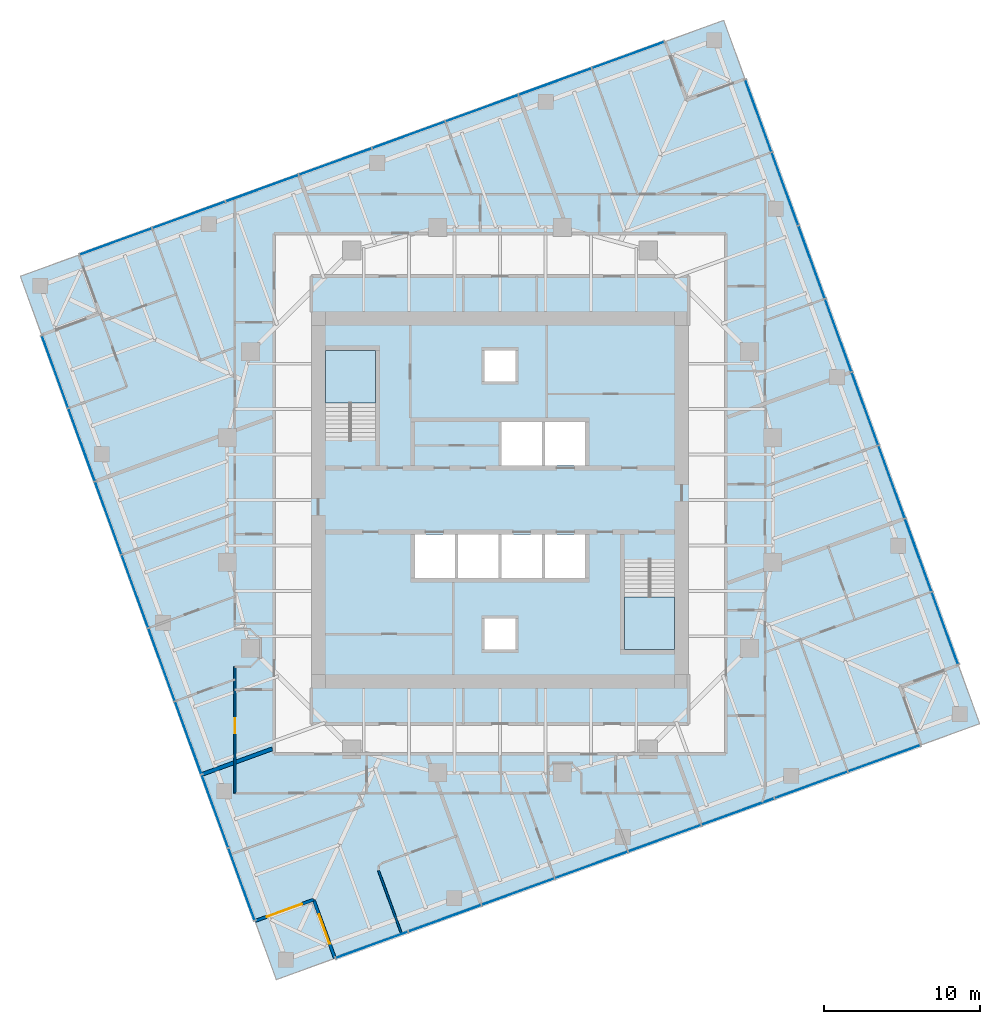
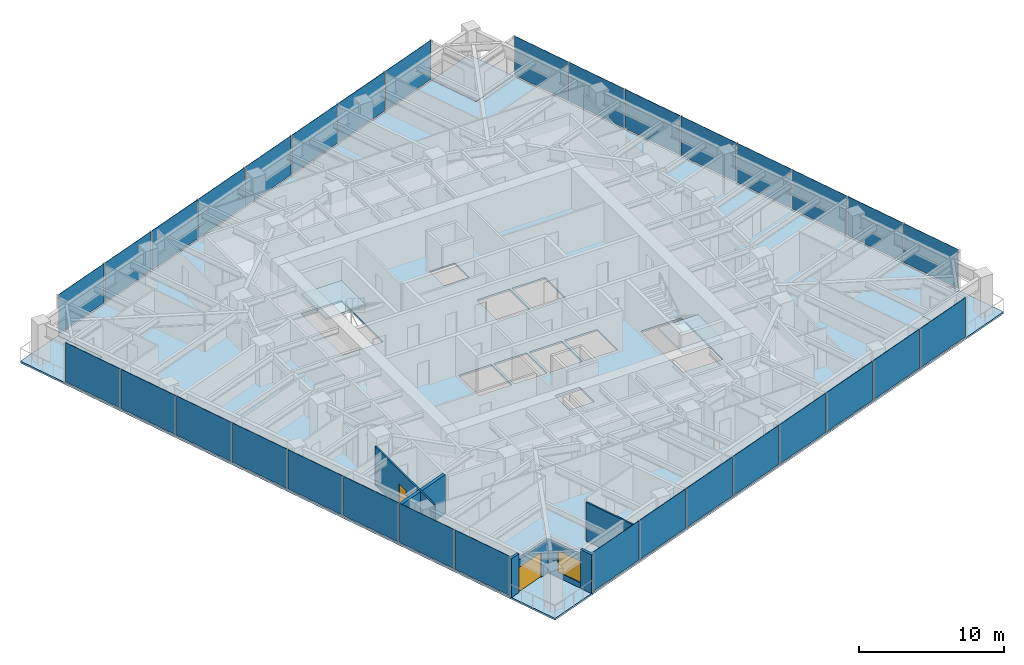
# One storey, part 6 of 13: 32 plates, 7 slabs, 7 walls, 2 doors, 1 window, 3 openings, 6 elements without a shape of their own.
"""IFC4 building model written with IfcOpenShell, lengths in metres."""

from ifc_helpers import new_model, si_unit, direction, frame, frame_2d, origin, origin_2d, place, context, subcontext, project, spatial, polyline, rectangle, outline, extrude, material, layer, layer_set, type_object, element, fill, aggregate, save


model = new_model("IFC4")

# Units and contexts
model_context = context("Model", 3, precision=1e-05, world=origin(), true_north=direction((0.0, 1.0)))
body_context = subcontext(model_context, "Body", "Model", "MODEL_VIEW")
ifc_project = project(units=[si_unit("LENGTHUNIT", "METRE"), si_unit("AREAUNIT", "SQUARE_METRE"), si_unit("VOLUMEUNIT", "CUBIC_METRE"), si_unit("PLANEANGLEUNIT", "RADIAN"), si_unit("MASSUNIT", "GRAM", prefix="KILO")], contexts=[model_context])

# Site, building, storey
site_placement = place(None, origin())
site = spatial("IfcSite", under=ifc_project, at=site_placement, CompositionType="ELEMENT")
building_placement = place(site_placement, origin())
building = spatial("IfcBuilding", under=site, at=building_placement, Name="Torsade Residences", CompositionType="ELEMENT")
storey_placement = place(building_placement, frame((0.0, 0.0, 160.800048828125)))
storey = spatial("IfcBuildingStorey", under=building, at=storey_placement, Name="L44", CompositionType="ELEMENT", Elevation=160.800048828125)

# Slab
ifc_material_1 = material(Name="Concrete 40 MPa", Category="concrete")
ifc_layer_1 = layer(ifc_material_1, 0.14990234375)
ifc_layer_set_1 = layer_set([ifc_layer_1], Name="Concrete 40 MPa")
slab_type_1 = type_object("IfcSlabType", Name="COMPOSITE FLOOR SLAB 150", PredefinedType="FLOOR", material=ifc_layer_set_1)
slab_1_placement = place(storey_placement, frame((0.0, 0.0, -0.150146484375)))
element("IfcSlab", 1, at=slab_1_placement, inside=storey, type_object=slab_type_1, Name="Floor slab L44", PredefinedType="FLOOR", context=body_context, shape_type="SweptSolid", body=[
    extrude(outline(polyline([(29.41455078125, 0.60693359375), (67.00244140625, 14.287841796875), (65.63427734375, 18.046630859375), (69.39306640625, 19.41455078125), (55.712158203125, 57.00244140625), (51.953369140625, 55.63427734375), (50.58544921875, 59.39306640625), (12.99755859375, 45.712158203125), (14.36572265625, 41.953369140625), (10.60693359375, 40.58544921875), (24.287841796875, 2.99755859375), (28.046630859375, 4.36572265625), (29.41455078125, 0.60693359375)]), holes=[polyline([(51.199951171875, 26.1201171875), (48.0, 26.1201171875), (48.0, 20.39990234375), (51.199951171875, 20.39990234375), (51.199951171875, 26.1201171875)]), polyline([(45.5, 27.800048828125), (42.89990234375, 27.800048828125), (42.89990234375, 25.0), (45.5, 25.0), (45.5, 27.800048828125)]), polyline([(45.5, 35.0), (42.89990234375, 35.0), (42.89990234375, 32.199951171875), (45.5, 32.199951171875), (45.5, 35.0)]), polyline([(42.699951171875, 25.0), (42.699951171875, 27.800048828125), (40.10009765625, 27.800048828125), (40.10009765625, 25.0), (42.699951171875, 25.0)]), polyline([(42.699951171875, 35.0), (40.10009765625, 35.0), (40.10009765625, 32.199951171875), (42.699951171875, 32.199951171875), (42.699951171875, 35.0)]), polyline([(41.0, 22.39990234375), (39.0, 22.39990234375), (39.0, 20.39990234375), (41.0, 20.39990234375), (41.0, 22.39990234375)]), polyline([(41.0, 37.60009765625), (41.0, 39.60009765625), (39.0, 39.60009765625), (39.0, 37.60009765625), (41.0, 37.60009765625)]), polyline([(39.89990234375, 25.0), (39.89990234375, 27.800048828125), (37.300048828125, 27.800048828125), (37.300048828125, 25.0), (39.89990234375, 25.0)]), polyline([(37.10009765625, 27.800048828125), (34.5, 27.800048828125), (34.5, 25.0), (37.10009765625, 25.0), (37.10009765625, 27.800048828125)]), polyline([(32.0, 33.8798828125), (32.0, 39.60009765625), (28.800048828125, 39.60009765625), (28.800048828125, 33.8798828125), (32.0, 33.8798828125)])]), origin(), (0.0, 0.0, 1.0), 0.150146484375),
])

# Curtain wall, plates
ifc_material_2 = material(Name="Aluminium and glass", Category="aluminium")
curtain_wall_type = type_object("IfcCurtainWallType", Name="FRITTED GLASS CURTAIN WALL MID ZONE", PredefinedType="NOTDEFINED", material=ifc_material_2)
curtain_wall_1_placement = place(storey_placement, origin())
curtain_wall_1 = element("IfcCurtainWall", 2, at=curtain_wall_1_placement, inside=storey, type_object=curtain_wall_type, Name="Curtain wall L44 face 1", PredefinedType="NOTDEFINED")
ifc_material_3 = material(Name="Laminated glass", Category="glass")
ifc_layer_2 = layer(ifc_material_3, 0.031982421875)
ifc_layer_set_2 = layer_set([ifc_layer_2], Name="Laminated glass")
plate_type_1 = type_object("IfcPlateType", Name="FRITTED GLASS PANEL", PredefinedType="CURTAIN_PANEL", material=ifc_layer_set_2)
plate_1_placement = place(storey_placement, frame((31.78271484375, 1.46875, 0.10986328125), z_axis=(0.0, 0.0, 1.0), x_axis=(0.939692619132, 0.342020147869, 0.0)))
plate_1 = element("IfcPlate", 3, at=plate_1_placement, type_object=plate_type_1, Name="Panel 1", PredefinedType="CURTAIN_PANEL", context=body_context, shape_type="SweptSolid", body=[
    extrude(rectangle(XDim=4.8798828125, YDim=0.031982421875, at=origin_2d()), origin(), (0.0, 0.0, 1.0), 3.2900390625),
])
plate_2_placement = place(storey_placement, frame((41.160888671875, 4.88232421875, 0.10986328125), z_axis=(0.0, 0.0, 1.0), x_axis=(0.939692619132, 0.342020147869, 0.0)))
plate_2 = element("IfcPlate", 4, at=plate_2_placement, type_object=plate_type_1, Name="Panel 3", PredefinedType="CURTAIN_PANEL", context=body_context, shape_type="SweptSolid", body=[
    extrude(rectangle(XDim=4.919921875, YDim=0.031982421875, at=origin_2d()), origin(), (0.0, 0.0, 1.0), 3.2900390625),
])
plate_3_placement = place(storey_placement, frame((45.859130859375, 6.59228515625, 0.10986328125), z_axis=(0.0, 0.0, 1.0), x_axis=(0.939692619132, 0.342020147869, 0.0)))
plate_3 = element("IfcPlate", 5, at=plate_3_placement, type_object=plate_type_1, Name="Panel 4", PredefinedType="CURTAIN_PANEL", context=body_context, shape_type="SweptSolid", body=[
    extrude(rectangle(XDim=4.919921875, YDim=0.031982421875, at=origin_2d()), origin(), (0.0, 0.0, 1.0), 3.2900390625),
])
plate_4_placement = place(storey_placement, frame((50.5576171875, 8.302490234375, 0.10986328125), z_axis=(0.0, 0.0, 1.0), x_axis=(0.939692619132, 0.342020147869, 0.0)))
plate_4 = element("IfcPlate", 6, at=plate_4_placement, type_object=plate_type_1, Name="Panel 5", PredefinedType="CURTAIN_PANEL", context=body_context, shape_type="SweptSolid", body=[
    extrude(rectangle(XDim=4.919921875, YDim=0.031982421875, at=origin_2d()), origin(), (0.0, 0.0, 1.0), 3.2900390625),
])
plate_5_placement = place(storey_placement, frame((59.95458984375, 11.72265625, 0.10986328125), z_axis=(0.0, 0.0, 1.0), x_axis=(0.939692619132, 0.342020147869, 0.0)))
plate_5 = element("IfcPlate", 7, at=plate_5_placement, type_object=plate_type_1, Name="Panel 7", PredefinedType="CURTAIN_PANEL", context=body_context, shape_type="SweptSolid", body=[
    extrude(rectangle(XDim=4.919921875, YDim=0.031982421875, at=origin_2d()), origin(), (0.0, 0.0, 1.0), 3.2900390625),
])
plate_6_placement = place(storey_placement, frame((64.63427734375, 13.42578125, 0.10986328125), z_axis=(0.0, 0.0, 1.0), x_axis=(0.939692619132, 0.342020147869, 0.0)))
plate_6 = element("IfcPlate", 8, at=plate_6_placement, type_object=plate_type_1, Name="Panel 8", PredefinedType="CURTAIN_PANEL", context=body_context, shape_type="SweptSolid", body=[
    extrude(rectangle(XDim=4.8798828125, YDim=0.031982421875, at=origin_2d()), origin(), (0.0, 0.0, 1.0), 3.2900390625),
])

curtain_wall_2_placement = place(storey_placement, origin())
curtain_wall_2 = element("IfcCurtainWall", 9, at=curtain_wall_2_placement, inside=storey, type_object=curtain_wall_type, Name="Curtain wall L44 face 4", PredefinedType="NOTDEFINED")
plate_7_placement = place(storey_placement, frame((68.53125, 21.78271484375, 0.10986328125), z_axis=(0.0, 0.0, 1.0), x_axis=(-0.342020147869, 0.939692619132, 0.0)))
plate_7 = element("IfcPlate", 10, at=plate_7_placement, type_object=plate_type_1, Name="Panel 1", PredefinedType="CURTAIN_PANEL", context=body_context, shape_type="SweptSolid", body=[
    extrude(rectangle(XDim=4.8798828125, YDim=0.031982421875, at=origin_2d()), origin(), (0.0, 0.0, 1.0), 3.2900390625),
])
plate_8_placement = place(storey_placement, frame((65.11767578125, 31.160888671875, 0.10986328125), z_axis=(0.0, 0.0, 1.0), x_axis=(-0.342020147869, 0.939692619132, 0.0)))
plate_8 = element("IfcPlate", 11, at=plate_8_placement, type_object=plate_type_1, Name="Panel 3", PredefinedType="CURTAIN_PANEL", context=body_context, shape_type="SweptSolid", body=[
    extrude(rectangle(XDim=4.919921875, YDim=0.031982421875, at=origin_2d()), origin(), (0.0, 0.0, 1.0), 3.2900390625),
])
plate_9_placement = place(storey_placement, frame((63.40771484375, 35.859130859375, 0.10986328125), z_axis=(0.0, 0.0, 1.0), x_axis=(-0.342020147869, 0.939692619132, 0.0)))
plate_9 = element("IfcPlate", 12, at=plate_9_placement, type_object=plate_type_1, Name="Panel 4", PredefinedType="CURTAIN_PANEL", context=body_context, shape_type="SweptSolid", body=[
    extrude(rectangle(XDim=4.919921875, YDim=0.031982421875, at=origin_2d()), origin(), (0.0, 0.0, 1.0), 3.2900390625),
])
plate_10_placement = place(storey_placement, frame((61.697509765625, 40.5576171875, 0.10986328125), z_axis=(0.0, 0.0, 1.0), x_axis=(-0.342020147869, 0.939692619132, 0.0)))
plate_10 = element("IfcPlate", 13, at=plate_10_placement, type_object=plate_type_1, Name="Panel 5", PredefinedType="CURTAIN_PANEL", context=body_context, shape_type="SweptSolid", body=[
    extrude(rectangle(XDim=4.919921875, YDim=0.031982421875, at=origin_2d()), origin(), (0.0, 0.0, 1.0), 3.2900390625),
])
plate_11_placement = place(storey_placement, frame((58.27734375, 49.95458984375, 0.10986328125), z_axis=(0.0, 0.0, 1.0), x_axis=(-0.342020147869, 0.939692619132, 0.0)))
plate_11 = element("IfcPlate", 14, at=plate_11_placement, type_object=plate_type_1, Name="Panel 7", PredefinedType="CURTAIN_PANEL", context=body_context, shape_type="SweptSolid", body=[
    extrude(rectangle(XDim=4.919921875, YDim=0.031982421875, at=origin_2d()), origin(), (0.0, 0.0, 1.0), 3.2900390625),
])
plate_12_placement = place(storey_placement, frame((56.57421875, 54.63427734375, 0.10986328125), z_axis=(0.0, 0.0, 1.0), x_axis=(-0.342020147869, 0.939692619132, 0.0)))
plate_12 = element("IfcPlate", 15, at=plate_12_placement, type_object=plate_type_1, Name="Panel 8", PredefinedType="CURTAIN_PANEL", context=body_context, shape_type="SweptSolid", body=[
    extrude(rectangle(XDim=4.8798828125, YDim=0.031982421875, at=origin_2d()), origin(), (0.0, 0.0, 1.0), 3.2900390625),
])

curtain_wall_3_placement = place(storey_placement, origin())
curtain_wall_3 = element("IfcCurtainWall", 16, at=curtain_wall_3_placement, inside=storey, type_object=curtain_wall_type, Name="Curtain wall L44 face 7", PredefinedType="NOTDEFINED")
plate_13_placement = place(storey_placement, frame((48.21728515625, 58.53125, 0.10986328125), z_axis=(0.0, 0.0, 1.0), x_axis=(-0.939692619132, -0.342020147869, 0.0)))
plate_13 = element("IfcPlate", 17, at=plate_13_placement, type_object=plate_type_1, Name="Panel 1", PredefinedType="CURTAIN_PANEL", context=body_context, shape_type="SweptSolid", body=[
    extrude(rectangle(XDim=4.8798828125, YDim=0.031982421875, at=origin_2d()), origin(), (0.0, 0.0, 1.0), 3.2900390625),
])
plate_14_placement = place(storey_placement, frame((38.839111328125, 55.11767578125, 0.10986328125), z_axis=(0.0, 0.0, 1.0), x_axis=(-0.939692619132, -0.342020147869, 0.0)))
plate_14 = element("IfcPlate", 18, at=plate_14_placement, type_object=plate_type_1, Name="Panel 3", PredefinedType="CURTAIN_PANEL", context=body_context, shape_type="SweptSolid", body=[
    extrude(rectangle(XDim=4.919921875, YDim=0.031982421875, at=origin_2d()), origin(), (0.0, 0.0, 1.0), 3.2900390625),
])
plate_15_placement = place(storey_placement, frame((34.140869140625, 53.40771484375, 0.10986328125), z_axis=(0.0, 0.0, 1.0), x_axis=(-0.939692619132, -0.342020147869, 0.0)))
plate_15 = element("IfcPlate", 19, at=plate_15_placement, type_object=plate_type_1, Name="Panel 4", PredefinedType="CURTAIN_PANEL", context=body_context, shape_type="SweptSolid", body=[
    extrude(rectangle(XDim=4.919921875, YDim=0.031982421875, at=origin_2d()), origin(), (0.0, 0.0, 1.0), 3.2900390625),
])
plate_16_placement = place(storey_placement, frame((29.4423828125, 51.697509765625, 0.10986328125), z_axis=(0.0, 0.0, 1.0), x_axis=(-0.939692619132, -0.342020147869, 0.0)))
plate_16 = element("IfcPlate", 20, at=plate_16_placement, type_object=plate_type_1, Name="Panel 5", PredefinedType="CURTAIN_PANEL", context=body_context, shape_type="SweptSolid", body=[
    extrude(rectangle(XDim=4.919921875, YDim=0.031982421875, at=origin_2d()), origin(), (0.0, 0.0, 1.0), 3.2900390625),
])
plate_17_placement = place(storey_placement, frame((20.04541015625, 48.27734375, 0.10986328125), z_axis=(0.0, 0.0, 1.0), x_axis=(-0.939692619132, -0.342020147869, 0.0)))
plate_17 = element("IfcPlate", 21, at=plate_17_placement, type_object=plate_type_1, Name="Panel 7", PredefinedType="CURTAIN_PANEL", context=body_context, shape_type="SweptSolid", body=[
    extrude(rectangle(XDim=4.919921875, YDim=0.031982421875, at=origin_2d()), origin(), (0.0, 0.0, 1.0), 3.2900390625),
])
plate_18_placement = place(storey_placement, frame((15.36572265625, 46.57421875, 0.10986328125), z_axis=(0.0, 0.0, 1.0), x_axis=(-0.939692619132, -0.342020147869, 0.0)))
plate_18 = element("IfcPlate", 22, at=plate_18_placement, type_object=plate_type_1, Name="Panel 8", PredefinedType="CURTAIN_PANEL", context=body_context, shape_type="SweptSolid", body=[
    extrude(rectangle(XDim=4.8798828125, YDim=0.031982421875, at=origin_2d()), origin(), (0.0, 0.0, 1.0), 3.2900390625),
])

curtain_wall_4_placement = place(storey_placement, origin())
curtain_wall_4 = element("IfcCurtainWall", 23, at=curtain_wall_4_placement, inside=storey, type_object=curtain_wall_type, Name="Curtain wall L44 face 10", PredefinedType="NOTDEFINED")
plate_19_placement = place(storey_placement, frame((11.46875, 38.21728515625, 0.10986328125), z_axis=(0.0, 0.0, 1.0), x_axis=(0.342020147869, -0.939692619132, 0.0)))
plate_19 = element("IfcPlate", 24, at=plate_19_placement, type_object=plate_type_1, Name="Panel 1", PredefinedType="CURTAIN_PANEL", context=body_context, shape_type="SweptSolid", body=[
    extrude(rectangle(XDim=4.8798828125, YDim=0.031982421875, at=origin_2d()), origin(), (0.0, 0.0, 1.0), 3.2900390625),
])
plate_20_placement = place(storey_placement, frame((14.88232421875, 28.839111328125, 0.10986328125), z_axis=(0.0, 0.0, 1.0), x_axis=(0.342020147869, -0.939692619132, 0.0)))
plate_20 = element("IfcPlate", 25, at=plate_20_placement, type_object=plate_type_1, Name="Panel 3", PredefinedType="CURTAIN_PANEL", context=body_context, shape_type="SweptSolid", body=[
    extrude(rectangle(XDim=4.919921875, YDim=0.031982421875, at=origin_2d()), origin(), (0.0, 0.0, 1.0), 3.2900390625),
])
plate_21_placement = place(storey_placement, frame((16.59228515625, 24.140869140625, 0.10986328125), z_axis=(0.0, 0.0, 1.0), x_axis=(0.342020147869, -0.939692619132, 0.0)))
plate_21 = element("IfcPlate", 26, at=plate_21_placement, type_object=plate_type_1, Name="Panel 4", PredefinedType="CURTAIN_PANEL", context=body_context, shape_type="SweptSolid", body=[
    extrude(rectangle(XDim=4.919921875, YDim=0.031982421875, at=origin_2d()), origin(), (0.0, 0.0, 1.0), 3.2900390625),
])
plate_22_placement = place(storey_placement, frame((18.302490234375, 19.4423828125, 0.10986328125), z_axis=(0.0, 0.0, 1.0), x_axis=(0.342020147869, -0.939692619132, 0.0)))
plate_22 = element("IfcPlate", 27, at=plate_22_placement, type_object=plate_type_1, Name="Panel 5", PredefinedType="CURTAIN_PANEL", context=body_context, shape_type="SweptSolid", body=[
    extrude(rectangle(XDim=4.919921875, YDim=0.031982421875, at=origin_2d()), origin(), (0.0, 0.0, 1.0), 3.2900390625),
])
plate_23_placement = place(storey_placement, frame((21.72265625, 10.04541015625, 0.10986328125), z_axis=(0.0, 0.0, 1.0), x_axis=(0.342020147869, -0.939692619132, 0.0)))
plate_23 = element("IfcPlate", 28, at=plate_23_placement, type_object=plate_type_1, Name="Panel 7", PredefinedType="CURTAIN_PANEL", context=body_context, shape_type="SweptSolid", body=[
    extrude(rectangle(XDim=4.919921875, YDim=0.031982421875, at=origin_2d()), origin(), (0.0, 0.0, 1.0), 3.2900390625),
])
plate_24_placement = place(storey_placement, frame((23.42578125, 5.36572265625, 0.10986328125), z_axis=(0.0, 0.0, 1.0), x_axis=(0.342020147869, -0.939692619132, 0.0)))
plate_24 = element("IfcPlate", 29, at=plate_24_placement, type_object=plate_type_1, Name="Panel 8", PredefinedType="CURTAIN_PANEL", context=body_context, shape_type="SweptSolid", body=[
    extrude(rectangle(XDim=4.8798828125, YDim=0.031982421875, at=origin_2d()), origin(), (0.0, 0.0, 1.0), 3.2900390625),
])

# Plate
ifc_material_4 = material(Name="Laminated glass", Category="glass")
ifc_layer_3 = layer(ifc_material_4, 0.0400390625)
ifc_layer_set_3 = layer_set([ifc_layer_3], Name="Laminated glass")
plate_type_2 = type_object("IfcPlateType", Name="OPERABLE VENT PANEL", PredefinedType="CURTAIN_PANEL", material=ifc_layer_set_3)
plate_25_placement = place(storey_placement, frame((36.46240234375, 3.172119140625, 0.10986328125), z_axis=(0.0, 0.0, 1.0), x_axis=(0.939692619132, 0.342020147869, 0.0)))
plate_25 = element("IfcPlate", 30, at=plate_25_placement, type_object=plate_type_2, Name="Panel 2", PredefinedType="CURTAIN_PANEL", context=body_context, shape_type="SweptSolid", body=[
    extrude(rectangle(XDim=4.919921875, YDim=0.0400390625, at=origin_2d()), origin(), (0.0, 0.0, 1.0), 3.2900390625),
])

plate_26_placement = place(storey_placement, frame((55.256103515625, 10.012451171875, 0.10986328125), z_axis=(0.0, 0.0, 1.0), x_axis=(0.939692619132, 0.342020147869, 0.0)))
plate_26 = element("IfcPlate", 31, at=plate_26_placement, type_object=plate_type_2, Name="Panel 6", PredefinedType="CURTAIN_PANEL", context=body_context, shape_type="SweptSolid", body=[
    extrude(rectangle(XDim=4.919921875, YDim=0.0400390625, at=origin_2d()), origin(), (0.0, 0.0, 1.0), 3.2900390625),
])

aggregate(curtain_wall_1, [plate_1, plate_25, plate_2, plate_3, plate_4, plate_26, plate_5, plate_6])

plate_27_placement = place(storey_placement, frame((66.827880859375, 26.46240234375, 0.10986328125), z_axis=(0.0, 0.0, 1.0), x_axis=(-0.342020147869, 0.939692619132, 0.0)))
plate_27 = element("IfcPlate", 32, at=plate_27_placement, type_object=plate_type_2, Name="Panel 2", PredefinedType="CURTAIN_PANEL", context=body_context, shape_type="SweptSolid", body=[
    extrude(rectangle(XDim=4.919921875, YDim=0.0400390625, at=origin_2d()), origin(), (0.0, 0.0, 1.0), 3.2900390625),
])

plate_28_placement = place(storey_placement, frame((59.987548828125, 45.256103515625, 0.10986328125), z_axis=(0.0, 0.0, 1.0), x_axis=(-0.342020147869, 0.939692619132, 0.0)))
plate_28 = element("IfcPlate", 33, at=plate_28_placement, type_object=plate_type_2, Name="Panel 6", PredefinedType="CURTAIN_PANEL", context=body_context, shape_type="SweptSolid", body=[
    extrude(rectangle(XDim=4.919921875, YDim=0.0400390625, at=origin_2d()), origin(), (0.0, 0.0, 1.0), 3.2900390625),
])

aggregate(curtain_wall_2, [plate_7, plate_27, plate_8, plate_9, plate_10, plate_28, plate_11, plate_12])

plate_29_placement = place(storey_placement, frame((43.53759765625, 56.827880859375, 0.10986328125), z_axis=(0.0, 0.0, 1.0), x_axis=(-0.939692619132, -0.342020147869, 0.0)))
plate_29 = element("IfcPlate", 34, at=plate_29_placement, type_object=plate_type_2, Name="Panel 2", PredefinedType="CURTAIN_PANEL", context=body_context, shape_type="SweptSolid", body=[
    extrude(rectangle(XDim=4.919921875, YDim=0.0400390625, at=origin_2d()), origin(), (0.0, 0.0, 1.0), 3.2900390625),
])

plate_30_placement = place(storey_placement, frame((24.743896484375, 49.987548828125, 0.10986328125), z_axis=(0.0, 0.0, 1.0), x_axis=(-0.939692619132, -0.342020147869, 0.0)))
plate_30 = element("IfcPlate", 35, at=plate_30_placement, type_object=plate_type_2, Name="Panel 6", PredefinedType="CURTAIN_PANEL", context=body_context, shape_type="SweptSolid", body=[
    extrude(rectangle(XDim=4.919921875, YDim=0.0400390625, at=origin_2d()), origin(), (0.0, 0.0, 1.0), 3.2900390625),
])

aggregate(curtain_wall_3, [plate_13, plate_29, plate_14, plate_15, plate_16, plate_30, plate_17, plate_18])

plate_31_placement = place(storey_placement, frame((13.172119140625, 33.53759765625, 0.10986328125), z_axis=(0.0, 0.0, 1.0), x_axis=(0.342020147869, -0.939692619132, 0.0)))
plate_31 = element("IfcPlate", 36, at=plate_31_placement, type_object=plate_type_2, Name="Panel 2", PredefinedType="CURTAIN_PANEL", context=body_context, shape_type="SweptSolid", body=[
    extrude(rectangle(XDim=4.919921875, YDim=0.0400390625, at=origin_2d()), origin(), (0.0, 0.0, 1.0), 3.2900390625),
])

plate_32_placement = place(storey_placement, frame((20.012451171875, 14.743896484375, 0.10986328125), z_axis=(0.0, 0.0, 1.0), x_axis=(0.342020147869, -0.939692619132, 0.0)))
plate_32 = element("IfcPlate", 37, at=plate_32_placement, type_object=plate_type_2, Name="Panel 6", PredefinedType="CURTAIN_PANEL", context=body_context, shape_type="SweptSolid", body=[
    extrude(rectangle(XDim=4.919921875, YDim=0.0400390625, at=origin_2d()), origin(), (0.0, 0.0, 1.0), 3.2900390625),
])

aggregate(curtain_wall_4, [plate_19, plate_31, plate_20, plate_21, plate_22, plate_32, plate_23, plate_24])

# Stair, slab
ifc_material_5 = material(Name="Precast concrete 40 MPa", Category="concrete")
stair_type = type_object("IfcStairType", Name="HALF-TURN FIRE STAIR 1500x3400", PredefinedType="HALF_TURN_STAIR", material=ifc_material_5)
stair_1_placement = place(storey_placement, origin())
stair_1 = element("IfcStair", 38, at=stair_1_placement, inside=storey, type_object=stair_type, Name="Stair ST1 L44", PredefinedType="HALF_TURN_STAIR")
ifc_material_6 = material(Name="Precast concrete 40 MPa", Category="concrete")
ifc_layer_4 = layer(ifc_material_6, 0.179931640625)
ifc_layer_set_4 = layer_set([ifc_layer_4], Name="Precast concrete 40 MPa")
slab_type_2 = type_object("IfcSlabType", Name="PRECAST STAIR LANDING 180", PredefinedType="LANDING", material=ifc_layer_set_4)
slab_2_placement = place(storey_placement, frame((0.0, 0.0, 1.52001953125)))
slab_2 = element("IfcSlab", 39, at=slab_2_placement, type_object=slab_type_2, Name="ST1 landing 1", PredefinedType="LANDING", context=body_context, shape_type="SweptSolid", body=[
    extrude(outline(polyline([(28.800048828125, 36.2099609375), (32.0, 36.2099609375), (32.0, 39.60009765625), (28.800048828125, 39.60009765625), (28.800048828125, 36.2099609375)])), origin(), (0.0, 0.0, 1.0), 0.179931640625),
])
aggregate(stair_1, [slab_2])

stair_2_placement = place(storey_placement, origin())
stair_2 = element("IfcStair", 40, at=stair_2_placement, inside=storey, type_object=stair_type, Name="Stair ST2 L44", PredefinedType="HALF_TURN_STAIR")
slab_3_placement = place(storey_placement, frame((0.0, 0.0, 1.52001953125)))
slab_3 = element("IfcSlab", 41, at=slab_3_placement, type_object=slab_type_2, Name="ST2 landing 1", PredefinedType="LANDING", context=body_context, shape_type="SweptSolid", body=[
    extrude(outline(polyline([(48.0, 20.39990234375), (51.199951171875, 20.39990234375), (51.199951171875, 23.7900390625), (48.0, 23.7900390625), (48.0, 20.39990234375)])), origin(), (0.0, 0.0, 1.0), 0.179931640625),
])
aggregate(stair_2, [slab_3])

# Slabs
ifc_material_7 = material(Name="Concrete 40 MPa", Category="concrete")
ifc_layer_5 = layer(ifc_material_7, 0.14990234375)
ifc_layer_set_5 = layer_set([ifc_layer_5], Name="Concrete 40 MPa")
slab_type_3 = type_object("IfcSlabType", Name="TERRACE SLAB 150", PredefinedType="FLOOR", material=ifc_layer_set_5)
slab_4_placement = place(storey_placement, frame((0.0, 0.0, -0.150146484375)))
element("IfcSlab", 42, at=slab_4_placement, inside=storey, type_object=slab_type_3, Name="Corner terrace slab SE L44", PredefinedType="FLOOR", context=body_context, shape_type="SweptSolid", body=[
    extrude(outline(polyline([(67.00244140625, 14.287841796875), (70.760986328125, 15.65576171875), (69.39306640625, 19.41455078125), (65.63427734375, 18.046630859375), (67.00244140625, 14.287841796875)])), origin(), (0.0, 0.0, 1.0), 0.150146484375),
])
slab_5_placement = place(storey_placement, frame((0.0, 0.0, -0.150146484375)))
element("IfcSlab", 43, at=slab_5_placement, inside=storey, type_object=slab_type_3, Name="Corner terrace slab NE L44", PredefinedType="FLOOR", context=body_context, shape_type="SweptSolid", body=[
    extrude(outline(polyline([(51.953369140625, 55.63427734375), (55.712158203125, 57.00244140625), (54.34423828125, 60.760986328125), (50.58544921875, 59.39306640625), (51.953369140625, 55.63427734375)])), origin(), (0.0, 0.0, 1.0), 0.150146484375),
])
slab_6_placement = place(storey_placement, frame((0.0, 0.0, -0.150146484375)))
element("IfcSlab", 44, at=slab_6_placement, inside=storey, type_object=slab_type_3, Name="Corner terrace slab NW L44", PredefinedType="FLOOR", context=body_context, shape_type="SweptSolid", body=[
    extrude(outline(polyline([(10.60693359375, 40.58544921875), (14.36572265625, 41.953369140625), (12.99755859375, 45.712158203125), (9.239013671875, 44.34423828125), (10.60693359375, 40.58544921875)])), origin(), (0.0, 0.0, 1.0), 0.150146484375),
])
slab_7_placement = place(storey_placement, frame((0.0, 0.0, -0.150146484375)))
element("IfcSlab", 45, at=slab_7_placement, inside=storey, type_object=slab_type_3, Name="Corner terrace slab SW L44", PredefinedType="FLOOR", context=body_context, shape_type="SweptSolid", body=[
    extrude(outline(polyline([(25.65576171875, -0.760986328125), (29.41455078125, 0.60693359375), (28.046630859375, 4.36572265625), (24.287841796875, 2.99755859375), (25.65576171875, -0.760986328125)])), origin(), (0.0, 0.0, 1.0), 0.150146484375),
])

# Wall, opening, door
ifc_material_8 = material(Name="Plasterboard on steel stud", Category="steel")
ifc_layer_6 = layer(ifc_material_8, 0.1201171875)
ifc_layer_set_6 = layer_set([ifc_layer_6], Name="Plasterboard on steel stud")
wall_type_1 = type_object("IfcWallType", Name="PARTITION 120", PredefinedType="PARTITIONING", material=ifc_layer_set_6)
wall_1_placement = place(storey_placement, frame((23.0, 11.199951171875, 0.0), z_axis=(0.0, 0.0, 1.0), x_axis=(0.0, 1.0, 0.0)))
wall_1 = element("IfcWall", 46, at=wall_1_placement, inside=storey, type_object=wall_type_1, Name="Partition L44", PredefinedType="PARTITIONING", context=body_context, shape_type="SweptSolid", body=[
    extrude(rectangle(XDim=8.10009765625, YDim=0.1201171875, at=frame_2d((4.050048828125, 0.0))), origin(), (0.0, 0.0, 1.0), 3.25),
])
opening_1_placement = place(wall_1_placement, frame((3.849365234375, 0.0, 0.0)))
opening_1 = element("IfcOpeningElement", 47, at=opening_1_placement, cuts=wall_1, Name="Opening D05", PredefinedType="OPENING", context=body_context, shape_type="SweptSolid", body=[
    extrude(rectangle(XDim=0.9599609375, YDim=2.10009765625, at=frame_2d((0.47998046875, 1.050048828125))), frame((0.0, 0.070068359375, 0.0), z_axis=(0.0, -1.0, 0.0), x_axis=(1.0, 0.0, 0.0)), (0.0, 0.0, 1.0), 0.14013671875),
])
ifc_material_9 = material(Name="Hollow-core timber door in a steel cavity frame", Category="steel")
door_type_1 = type_object("IfcDoorType", Name="BATHROOM CAVITY SLIDING DOOR 960", OperationType="SLIDING_TO_LEFT", PredefinedType="DOOR", material=ifc_material_9)
door_1_placement = place(opening_1_placement, origin())
door_1 = element("IfcDoor", 48, at=door_1_placement, inside=storey, type_object=door_type_1, Name="Door WC to Bedroom 3", OperationType="SLIDING_TO_LEFT", OverallHeight=2.10009765625, OverallWidth=0.9599609375, PredefinedType="DOOR", context=body_context, shape_type="SweptSolid", body=[
    extrude(rectangle(XDim=0.9599609375, YDim=2.10009765625, at=frame_2d((0.47998046875, 1.050048828125))), frame((0.0, 0.02490234375, 0.0), z_axis=(0.0, -1.0, 0.0), x_axis=(1.0, 0.0, 0.0)), (0.0, 0.0, 1.0), 0.050048828125),
])
fill(opening_1, door_1)

# Walls
wall_2_placement = place(storey_placement, frame((32.20361328125, 6.24755859375, 0.0), z_axis=(0.0, 0.0, 1.0), x_axis=(0.342011603146, -0.939695729113, 0.0)))
element("IfcWall", 49, at=wall_2_placement, inside=storey, type_object=wall_type_1, Name="Partition L44", PredefinedType="PARTITIONING", context=body_context, shape_type="SweptSolid", body=[
    extrude(rectangle(XDim=4.306640625, YDim=0.1201171875, at=frame_2d((2.1533203125, 0.0))), origin(), (0.0, 0.0, 1.0), 3.25),
])
ifc_material_10 = material(Name="Masonry-lined stud party wall", Category="masonry")
ifc_layer_7 = layer(ifc_material_10, 0.25)
ifc_layer_set_7 = layer_set([ifc_layer_7], Name="Masonry-lined stud party wall")
wall_type_2 = type_object("IfcWallType", Name="PARTY WALL 250", PredefinedType="PARTITIONING", material=ifc_layer_set_7)
wall_3_placement = place(storey_placement, frame((20.86767578125, 12.39453125, 0.0), z_axis=(0.0, 0.0, 1.0), x_axis=(0.939677962656, 0.342060413521, 0.0)))
element("IfcWall", 50, at=wall_3_placement, inside=storey, type_object=wall_type_2, Name="Party wall L44", PredefinedType="PARTITIONING", context=body_context, shape_type="SweptSolid", body=[
    extrude(rectangle(XDim=4.817626953125, YDim=0.25, at=frame_2d((2.40869140625, 0.0))), origin(), (0.0, 0.0, 1.0), 3.25),
])
ifc_material_11 = material(Name="Stone-faced precast concrete 40 MPa panel", Category="masonry")
ifc_layer_8 = layer(ifc_material_11, 0.199951171875)
ifc_layer_set_8 = layer_set([ifc_layer_8], Name="Stone-faced precast concrete 40 MPa panel")
wall_type_3 = type_object("IfcWallType", Name="TERRACE WALL 200", PredefinedType="SOLIDWALL", material=ifc_layer_set_8)
wall_4_placement = place(storey_placement, frame((24.287841796875, 2.99755859375, 0.0), z_axis=(0.0, 0.0, 1.0), x_axis=(0.939659694648, 0.342110593602, 0.0)))
element("IfcWall", 51, at=wall_4_placement, inside=storey, type_object=wall_type_3, Name="Terrace wall L44 11", PredefinedType="SOLIDWALL", context=body_context, shape_type="SweptSolid", body=[
    extrude(rectangle(XDim=0.800048828125, YDim=0.199951171875, at=frame_2d((0.39990234375, 0.0))), origin(), (0.0, 0.0, 1.0), 3.25),
])

# Wall, opening, door
wall_5_placement = place(storey_placement, frame((25.03955078125, 3.271240234375, 0.0), z_axis=(0.0, 0.0, 1.0), x_axis=(0.939693144909, 0.342018703306, 0.0)))
wall_5 = element("IfcWall", 52, at=wall_5_placement, inside=storey, type_object=wall_type_3, Name="Terrace wall L44 11", PredefinedType="SOLIDWALL", context=body_context, shape_type="SweptSolid", body=[
    extrude(rectangle(XDim=3.199951171875, YDim=0.199951171875, at=frame_2d((1.60009765625, 0.0))), origin(), (0.0, 0.0, 1.0), 2.721923828125),
])
opening_2_placement = place(wall_5_placement, origin())
opening_2 = element("IfcOpeningElement", 53, at=opening_2_placement, cuts=wall_5, Name="Opening D10A", PredefinedType="OPENING", context=body_context, shape_type="SweptSolid", body=[
    extrude(rectangle(XDim=2.39990234375, YDim=2.10009765625, at=frame_2d((1.199951171875, 1.050048828125))), frame((0.0, 0.10986328125, 0.0), z_axis=(0.0, -1.0, 0.0), x_axis=(1.0, 0.0, 0.0)), (0.0, 0.0, 1.0), 0.219970703125),
])
ifc_material_12 = material(Name="Aluminium-framed glass door", Category="aluminium")
door_type_2 = type_object("IfcDoorType", Name="TERRACE SLIDING DOOR 2400x2100", OperationType="SLIDING_TO_LEFT", PredefinedType="DOOR", material=ifc_material_12)
door_2_placement = place(opening_2_placement, origin())
door_2 = element("IfcDoor", 54, at=door_2_placement, inside=storey, type_object=door_type_2, Name="Terrace door L44 11", OperationType="SLIDING_TO_LEFT", OverallHeight=2.10009765625, OverallWidth=2.39990234375, PredefinedType="DOOR", context=body_context, shape_type="SweptSolid", body=[
    extrude(rectangle(XDim=2.39990234375, YDim=2.10009765625, at=frame_2d((1.199951171875, 1.050048828125))), frame((0.0, 0.02490234375, 0.0), z_axis=(0.0, -1.0, 0.0), x_axis=(1.0, 0.0, 0.0)), (0.0, 0.0, 1.0), 0.050048828125),
])
fill(opening_2, door_2)

# Wall, opening, window
wall_6_placement = place(storey_placement, frame((28.046630859375, 4.36572265625, 0.0), z_axis=(0.0, 0.0, 1.0), x_axis=(0.341965219194, -0.939712609717, 0.0)))
wall_6 = element("IfcWall", 55, at=wall_6_placement, inside=storey, type_object=wall_type_3, Name="Terrace wall L44 12", PredefinedType="SOLIDWALL", context=body_context, shape_type="SweptSolid", body=[
    extrude(rectangle(XDim=3.0, YDim=0.199951171875, at=frame_2d((1.5, 0.0))), origin(), (0.0, 0.0, 1.0), 2.721923828125),
])
opening_3_placement = place(wall_6_placement, frame((1.0, 0.0, 0.449951171875)))
opening_3 = element("IfcOpeningElement", 56, at=opening_3_placement, cuts=wall_6, Name="Opening W1B", PredefinedType="OPENING", context=body_context, shape_type="SweptSolid", body=[
    extrude(rectangle(XDim=2.0, YDim=1.800048828125, at=frame_2d((1.0, 0.89990234375))), frame((0.0, 0.10986328125, 0.0), z_axis=(0.0, -1.0, 0.0), x_axis=(1.0, 0.0, 0.0)), (0.0, 0.0, 1.0), 0.219970703125),
])
ifc_material_13 = material(Name="Aluminium-framed glass window", Category="aluminium")
window_type = type_object("IfcWindowType", Name="TERRACE WINDOW 2000x1800", PartitioningType="SINGLE_PANEL", PredefinedType="WINDOW", material=ifc_material_13)
window_placement = place(opening_3_placement, origin())
window = element("IfcWindow", 57, at=window_placement, inside=storey, type_object=window_type, Name="Terrace window L44 12", OverallHeight=1.800048828125, OverallWidth=2.0, PartitioningType="SINGLE_PANEL", PredefinedType="WINDOW", context=body_context, shape_type="SweptSolid", body=[
    extrude(rectangle(XDim=2.0, YDim=1.800048828125, at=frame_2d((1.0, 0.89990234375))), frame((0.0, 0.030029296875, 0.0), z_axis=(0.0, -1.0, 0.0), x_axis=(1.0, 0.0, 0.0)), (0.0, 0.0, 1.0), 0.06005859375),
])
fill(opening_3, window)

# Wall
wall_7_placement = place(storey_placement, frame((29.072509765625, 1.546630859375, 0.0), z_axis=(0.0, 0.0, 1.0), x_axis=(0.342037080957, -0.939686455819, 0.0)))
element("IfcWall", 58, at=wall_7_placement, inside=storey, type_object=wall_type_3, Name="Terrace wall L44 12", PredefinedType="SOLIDWALL", context=body_context, shape_type="SweptSolid", body=[
    extrude(rectangle(XDim=1.0, YDim=0.199951171875, at=frame_2d((0.5, 0.0))), origin(), (0.0, 0.0, 1.0), 3.25),
])

save(model, "model.ifc")
